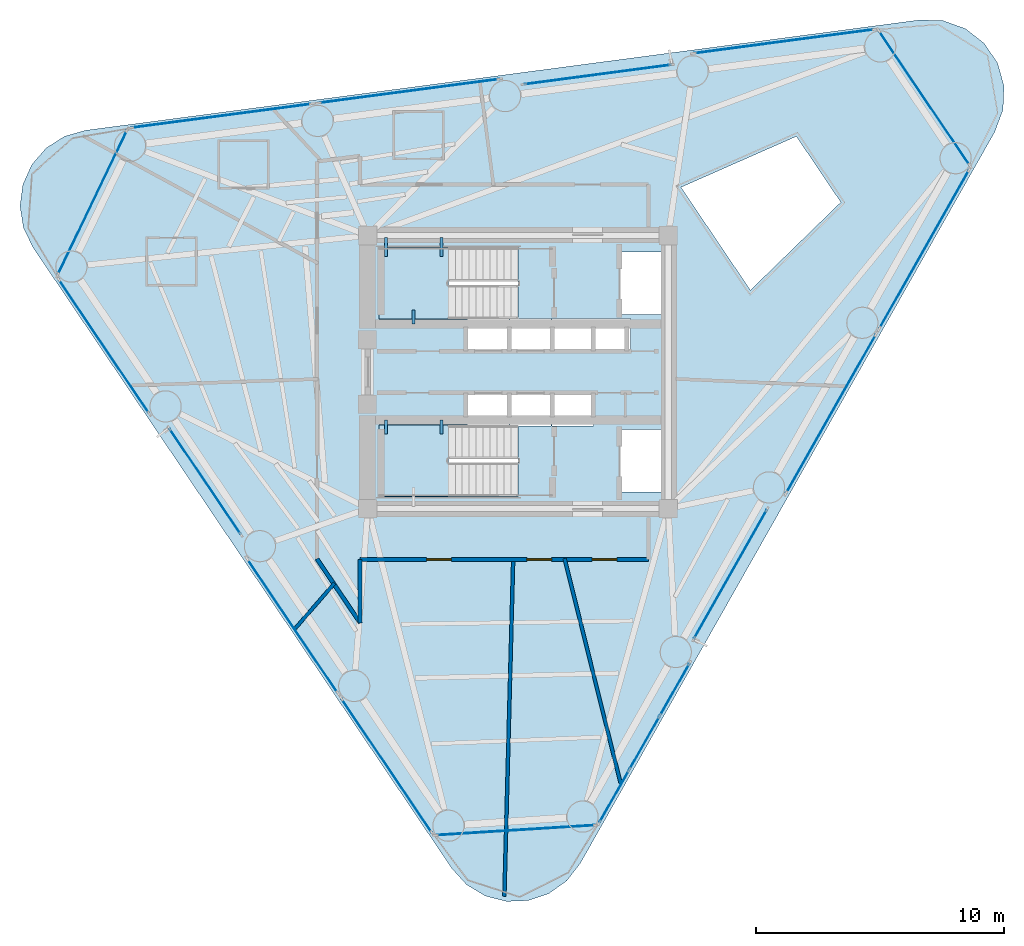
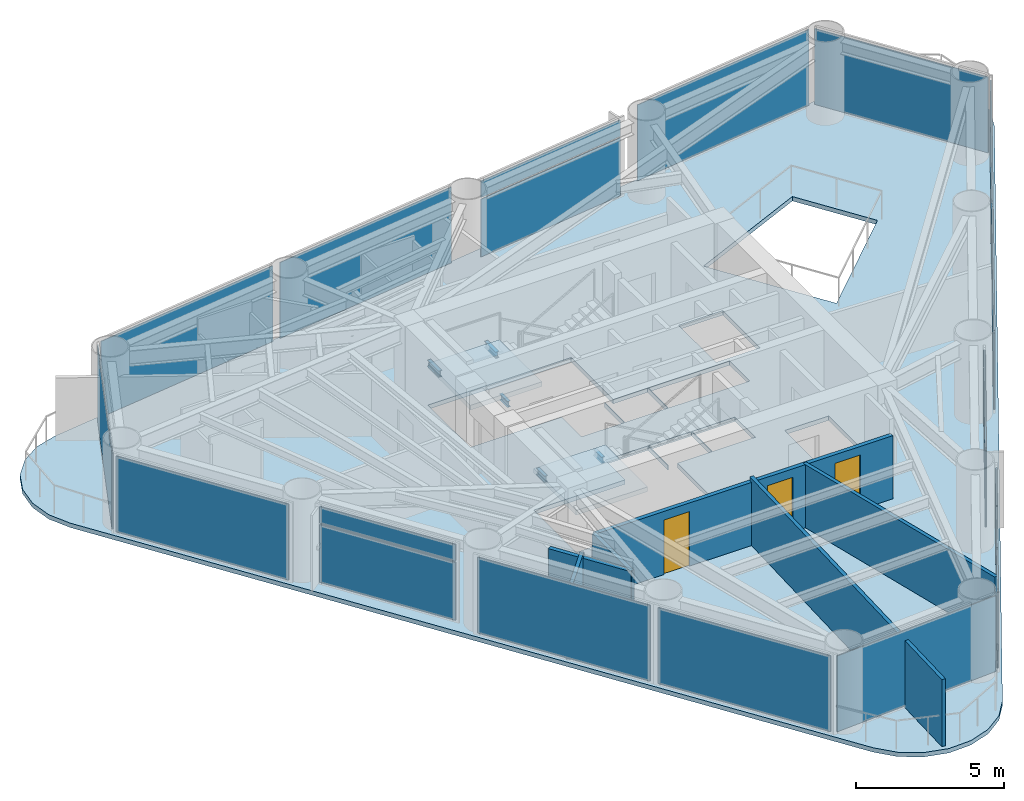
# One storey, part 4 of 9: 23 plates, 6 walls, 5 beams, 3 doors, 3 slabs, 3 openings, 17 elements without a shape of their own.
"""IFC4 building model written with IfcOpenShell, lengths in metres."""

import ifcopenshell
import ifcopenshell.guid

model = None  # the IFC model being written
_history = None  # IfcOwnerHistory: only IFC2X3 demands one
_inside = {}  # id of a spatial element -> (the spatial element, [elements in it])
_under = {}  # id of a project, library or spatial element -> (it, [spatial elements below it])
_declared = {}  # id of a project -> (the project, [libraries it declares])
_typed = {}  # id of a type object -> (the type object, [elements of that type])
_made_of = {}  # id of a material, layer set ... -> (it, [elements and type objects made of it])


def new_model(schema):
    """Start an empty IFC model of exactly this schema.

    Asked for "IFC4X3", IfcOpenShell would pick the latest addendum, in which some entities
    have other attributes; the version numbers below select the first issue.
    IFC2X3 requires an IfcOwnerHistory on every rooted entity: one is made here for all.
    """
    global model, _history
    if schema == "IFC4X3":
        model = ifcopenshell.file(schema_version=(4, 3, 0, 0))
    else:
        model = ifcopenshell.file(schema=schema)
    _inside.clear()
    _under.clear()
    _declared.clear()
    _typed.clear()
    _made_of.clear()
    _history = None
    if model.schema == "IFC2X3":
        org = make("IfcOrganization", Name="unknown")
        user = make(
            "IfcPersonAndOrganization",
            ThePerson=make("IfcPerson", FamilyName="unknown"),
            TheOrganization=org,
        )
        app = make(
            "IfcApplication",
            ApplicationDeveloper=org,
            Version="unknown",
            ApplicationFullName="unknown",
            ApplicationIdentifier="unknown",
        )
        _history = make(
            "IfcOwnerHistory",
            OwningUser=user,
            OwningApplication=app,
            ChangeAction="ADDED",
            CreationDate=0,
        )
    return model


def make(cls, **values):
    """One entity of the class cls with the attributes given. An attribute that is None is left unset."""
    return model.create_entity(
        cls, **{name: value for name, value in values.items() if value is not None}
    )


def rooted(cls, **values):
    """An entity with a GlobalId (a new one), such as an element, a storey or a relation."""
    return make(cls, GlobalId=ifcopenshell.guid.new(), OwnerHistory=_history, **values)


def si_unit(unit_type, name, prefix=None):
    """IfcSIUnit, for example si_unit("LENGTHUNIT", "METRE", prefix="MILLI")."""
    return make("IfcSIUnit", UnitType=unit_type, Prefix=prefix, Name=name)


def assignment(units):
    """IfcUnitAssignment: the units of a project."""
    return None if units is None else make("IfcUnitAssignment", Units=units)


def point(xyz):
    """IfcCartesianPoint."""
    return None if xyz is None else make("IfcCartesianPoint", Coordinates=xyz)


def direction(xyz):
    """IfcDirection."""
    return None if xyz is None else make("IfcDirection", DirectionRatios=xyz)


def frame(location, z_axis=None, x_axis=None):
    """IfcAxis2Placement3D, a coordinate frame: its origin and axes. An axis left out is left unset."""
    return make(
        "IfcAxis2Placement3D",
        Location=point(location),
        Axis=direction(z_axis),
        RefDirection=direction(x_axis),
    )


def frame_2d(location, x_axis=None):
    """IfcAxis2Placement2D, a coordinate frame in the plane: its origin and x axis."""
    return make(
        "IfcAxis2Placement2D", Location=point(location), RefDirection=direction(x_axis)
    )


def origin():
    """The frame at (0, 0, 0) with its axes left unset."""
    return frame((0.0, 0.0, 0.0))


def origin_2d():
    """The frame at (0, 0) in the plane with its x axis left unset."""
    return frame_2d((0.0, 0.0))


def place(relative_to, where):
    """IfcLocalPlacement: puts the frame where relative to a parent placement (None: the world)."""
    return make(
        "IfcLocalPlacement", PlacementRelTo=relative_to, RelativePlacement=where
    )


def context(
    kind, dimensions, precision=None, world=None, true_north=None, identifier=None
):
    """IfcGeometricRepresentationContext, for example the 3D "Model" context."""
    return make(
        "IfcGeometricRepresentationContext",
        ContextIdentifier=identifier,
        ContextType=kind,
        CoordinateSpaceDimension=dimensions,
        Precision=precision,
        WorldCoordinateSystem=world,
        TrueNorth=true_north,
    )


def subcontext(parent, identifier, kind, view, scale=None):
    """IfcGeometricRepresentationSubContext, for example "Body" below "Model"."""
    return make(
        "IfcGeometricRepresentationSubContext",
        ContextIdentifier=identifier,
        ContextType=kind,
        ParentContext=parent,
        TargetScale=scale,
        TargetView=view,
    )


def project(units=None, contexts=None):
    """IfcProject with its units and contexts."""
    return rooted(
        "IfcProject",
        Name="project",
        RepresentationContexts=contexts,
        UnitsInContext=assignment(units),
    )


def spatial(cls, under=None, at=None, **own):
    """A site, building, storey or space (cls), placed at a placement, below another one or the project."""
    s = rooted(cls, ObjectPlacement=at, **own)
    if under is not None:
        _under.setdefault(under.id(), (under, []))[1].append(s)
    return s


def polyline(points):
    """IfcPolyline through the points."""
    return make("IfcPolyline", Points=[point(p) for p in points])


def profile(cls, at=None, kind="AREA", **sizes):
    """A parametric profile (cls). Its sizes go by their IFC names, for example OverallWidth=200.0."""
    return make(cls, ProfileType=kind, Position=at, **sizes)


def rectangle(**sizes):
    """IfcRectangleProfileDef."""
    return profile("IfcRectangleProfileDef", **sizes)


def i_section(**sizes):
    """IfcIShapeProfileDef."""
    return profile("IfcIShapeProfileDef", **sizes)


def outline(outer, holes=None, kind="AREA"):
    """IfcArbitraryClosedProfileDef: a profile drawn as a closed curve; with holes, ...WithVoids."""
    if holes is None:
        return make("IfcArbitraryClosedProfileDef", ProfileType=kind, OuterCurve=outer)
    return make(
        "IfcArbitraryProfileDefWithVoids",
        ProfileType=kind,
        OuterCurve=outer,
        InnerCurves=holes,
    )


def extrude(swept, where, along, depth):
    """IfcExtrudedAreaSolid: the profile swept, set in the frame where, extruded along a direction by depth."""
    return make(
        "IfcExtrudedAreaSolid",
        SweptArea=swept,
        Position=where,
        ExtrudedDirection=direction(along),
        Depth=depth,
    )


def shape(context_of_items, identifier, shape_type, items):
    """IfcShapeRepresentation: the items that make up one representation, for example the "Body"."""
    return make(
        "IfcShapeRepresentation",
        ContextOfItems=context_of_items,
        RepresentationIdentifier=identifier,
        RepresentationType=shape_type,
        Items=items,
    )


def source(mapping_origin, context_of_items, identifier, shape_type, items):
    """IfcRepresentationMap: a shape defined once, which mapped items show again and again."""
    return make(
        "IfcRepresentationMap",
        MappingOrigin=mapping_origin,
        MappedRepresentation=shape(context_of_items, identifier, shape_type, items),
    )


def transform(
    local_origin,
    x_axis=None,
    y_axis=None,
    z_axis=None,
    scale=None,
    scale2=None,
    scale3=None,
    uniform=True,
):
    """IfcCartesianTransformationOperator3D, or its non-uniform kind. x_axis, y_axis, z_axis: its Axis1, 2, 3."""
    if uniform:
        return make(
            "IfcCartesianTransformationOperator3D",
            Axis1=direction(x_axis),
            Axis2=direction(y_axis),
            LocalOrigin=point(local_origin),
            Scale=scale,
            Axis3=direction(z_axis),
        )
    return make(
        "IfcCartesianTransformationOperator3DnonUniform",
        Axis1=direction(x_axis),
        Axis2=direction(y_axis),
        LocalOrigin=point(local_origin),
        Scale=scale,
        Axis3=direction(z_axis),
        Scale2=scale2,
        Scale3=scale3,
    )


def mapped(mapping_source, mapping_target):
    """IfcMappedItem: shows the shape of a source again, moved by a transform."""
    return make(
        "IfcMappedItem", MappingSource=mapping_source, MappingTarget=mapping_target
    )


def material(Name=None, Category=None):
    """IfcMaterial."""
    return make("IfcMaterial", Name=Name, Category=Category)


def layer(
    of_material, thickness, ventilated=None, Name=None, Category=None, Priority=None
):
    """IfcMaterialLayer: one layer of a wall or slab, of a material (None: an air gap)."""
    return make(
        "IfcMaterialLayer",
        Material=of_material,
        LayerThickness=thickness,
        IsVentilated=ventilated,
        Name=Name,
        Category=Category,
        Priority=Priority,
    )


def layer_set(layers, Name=None):
    """IfcMaterialLayerSet."""
    return make("IfcMaterialLayerSet", MaterialLayers=layers, LayerSetName=Name)


def material_profile(
    of_material, cross_section, Name=None, Category=None, Priority=None
):
    """IfcMaterialProfile: a cross section and its material."""
    return make(
        "IfcMaterialProfile",
        Name=Name,
        Material=of_material,
        Profile=cross_section,
        Priority=Priority,
        Category=Category,
    )


def profile_set(profiles, Name=None, composite=None):
    """IfcMaterialProfileSet."""
    return make(
        "IfcMaterialProfileSet",
        Name=Name,
        MaterialProfiles=profiles,
        CompositeProfile=composite,
    )


def made_of(thing, what):
    """Note that an element or type object is made of a material, layer set ...; save() writes the relation."""
    if what is not None:
        _made_of.setdefault(what.id(), (what, []))[1].append(thing)
    return thing


def type_object(cls, material=None, **own):
    """A type object (cls), such as IfcWallType, which elements share."""
    return made_of(rooted(cls, **own), material)


def element(
    cls,
    number,
    at=None,
    inside=None,
    cuts=None,
    type_object=None,
    material=None,
    context=None,
    identifier="Body",
    shape_type=None,
    held_by="IfcProductDefinitionShape",
    body=None,
    shapes=None,
    **own,
):
    """One element of the class cls, such as IfcWall. Its Tag is "e" and its number.

    at: its placement. inside: the storey or other place that contains it. cuts: it is an
    opening in that element (IfcRelVoidsElement). A single representation is given by context,
    identifier, shape_type and body (its items); several are given by shapes. held_by: the class
    of the entity that holds the representations. save() writes the other relations.
    """
    e = rooted(cls, Tag="e%d" % number, ObjectPlacement=at, **own)
    if body is not None:
        shapes = [shape(context, identifier, shape_type, body)]
    if shapes is not None:
        e.Representation = make(held_by, Representations=shapes)
    if inside is not None:
        _inside.setdefault(inside.id(), (inside, []))[1].append(e)
    if cuts is not None:
        rooted(
            "IfcRelVoidsElement", RelatingBuildingElement=cuts, RelatedOpeningElement=e
        )
    if type_object is not None:
        _typed.setdefault(type_object.id(), (type_object, []))[1].append(e)
    return made_of(e, material)


def fill(opening, filler):
    """IfcRelFillsElement: the door or window that sits in an opening."""
    return rooted(
        "IfcRelFillsElement",
        RelatingOpeningElement=opening,
        RelatedBuildingElement=filler,
    )


def aggregate(whole, parts):
    """IfcRelAggregates: a whole, such as a stair, and the parts it consists of."""
    return rooted("IfcRelAggregates", RelatingObject=whole, RelatedObjects=parts)


def save(model, path):
    """Write the relations noted so far, then the file.

    IfcRelAggregates (storeys below a building ...), IfcRelContainedInSpatialStructure (elements
    in a storey), IfcRelDefinesByType, IfcRelAssociatesMaterial and IfcRelDeclares: one each for
    every whole, place, type object, material and project.
    """
    for whole, parts in _under.values():
        aggregate(whole, parts)
    for where, things in _inside.values():
        rooted(
            "IfcRelContainedInSpatialStructure",
            RelatedElements=things,
            RelatingStructure=where,
        )
    for kind, things in _typed.values():
        rooted("IfcRelDefinesByType", RelatedObjects=things, RelatingType=kind)
    for what, things in _made_of.values():
        rooted("IfcRelAssociatesMaterial", RelatedObjects=things, RelatingMaterial=what)
    for by, libraries in _declared.values():
        rooted("IfcRelDeclares", RelatingContext=by, RelatedDefinitions=libraries)
    model.write(path)


model = new_model("IFC4")

# Units and contexts
model_context = context("Model", 3, precision=1e-05, world=origin(), true_north=direction((0.0, 1.0)))
body_context = subcontext(model_context, "Body", "Model", "MODEL_VIEW")
ifc_project = project(units=[si_unit("LENGTHUNIT", "METRE"), si_unit("AREAUNIT", "SQUARE_METRE"), si_unit("VOLUMEUNIT", "CUBIC_METRE"), si_unit("PLANEANGLEUNIT", "RADIAN"), si_unit("MASSUNIT", "GRAM", prefix="KILO")], contexts=[model_context])

# Site, building, storey
site_placement = place(None, origin())
site = spatial("IfcSite", under=ifc_project, at=site_placement, CompositionType="ELEMENT")
building_placement = place(site_placement, origin())
building = spatial("IfcBuilding", under=site, at=building_placement, Name="Yunling Apex Tower", CompositionType="ELEMENT")
storey_placement = place(building_placement, frame((0.0, 0.0, 172.550048828125)))
storey = spatial("IfcBuildingStorey", under=building, at=storey_placement, Name="L42", CompositionType="ELEMENT", Elevation=172.550048828125)

# Beams
ifc_material_1 = material(Name="Steel Q355B", Category="steel")
ifc_material_profile = material_profile(ifc_material_1, i_section(OverallWidth=0.125, OverallDepth=0.25, WebThickness=0.006103515625, FlangeThickness=0.009033203125, FilletRadius=0.011962890625, at=origin_2d()))
ifc_profile_set = profile_set([ifc_material_profile], Name="Steel Q355B")
beam_type = type_object("IfcBeamType", Name="BL-LNT-1", PredefinedType="LINTEL", material=ifc_profile_set)
shared_shape_1 = source(origin(), body_context, "Body", "SweptSolid", [
    extrude(i_section(OverallWidth=0.125, OverallDepth=0.25, WebThickness=0.006103515625, FlangeThickness=0.009033203125, FilletRadius=0.011962890625, at=origin_2d()), origin(), (0.0, 0.0, 1.0), 0.760009765625),
])
for number, where, z_axis, x_axis, name in (
    (1, (-5.320068359375, 5.419921875, 1.405029296875), (0.0, -1.0, 0.0), (1.0, 0.0, 0.0), "L42 ST-1 Landing Bearing Corbel 1-1"),
    (2, (-3.090087890625, 5.419921875, 1.405029296875), (0.0, -1.0, 0.0), (1.0, 0.0, 0.0), "L42 ST-1 Landing Bearing Corbel 1-2"),
):
    element("IfcBeam", number, at=place(storey_placement, frame(where, z_axis=z_axis, x_axis=x_axis)), inside=storey, type_object=beam_type, Name=name, PredefinedType="LINTEL", context=body_context, shape_type="MappedRepresentation", body=[
        mapped(shared_shape_1, transform((0.0, 0.0, 0.0), scale=1.0)),
    ])
shared_shape_2 = source(origin(), body_context, "Body", "SweptSolid", [
    extrude(i_section(OverallWidth=0.125, OverallDepth=0.25, WebThickness=0.006103515625, FlangeThickness=0.009033203125, FilletRadius=0.011962890625, at=origin_2d()), origin(), (0.0, 0.0, 1.0), 0.550048828125),
])
for number, where, z_axis, x_axis, name in (
    (3, (-4.205078125, 1.93994140625, 1.405029296875), (0.0, 1.0, 0.0), (-1.0, 0.0, 0.0), "L42 ST-1 Landing Bearing Corbel 1-3"),
    (4, (-5.320068359375, -1.93994140625, 1.405029296875), (0.0, -1.0, 0.0), (1.0, 0.0, 0.0), "L42 ST-2 Landing Bearing Corbel 1-1"),
    (5, (-3.090087890625, -1.93994140625, 1.405029296875), (0.0, -1.0, 0.0), (1.0, 0.0, 0.0), "L42 ST-2 Landing Bearing Corbel 1-2"),
):
    element("IfcBeam", number, at=place(storey_placement, frame(where, z_axis=z_axis, x_axis=x_axis)), inside=storey, type_object=beam_type, Name=name, PredefinedType="LINTEL", context=body_context, shape_type="MappedRepresentation", body=[
        mapped(shared_shape_2, transform((0.0, 0.0, 0.0), scale=1.0)),
    ])

# Slab
ifc_material_2 = material(Name="Concrete C40", Category="concrete")
ifc_layer_1 = layer(ifc_material_2, 0.1650390625)
ifc_layer_set_1 = layer_set([ifc_layer_1], Name="Concrete C40")
slab_type_1 = type_object("IfcSlabType", Name="SL-FLR-2", PredefinedType="FLOOR", material=ifc_layer_set_1)
slab_1_placement = place(storey_placement, frame((0.0, 0.0, -0.179931640625)))
element("IfcSlab", 6, at=slab_1_placement, inside=storey, type_object=slab_type_1, Name="L42 Composite Tower Floor Slab", PredefinedType="FLOOR", context=body_context, shape_type="SweptSolid", body=[
    extrude(outline(polyline([(-2.665771484375, -20.00146484375), (-2.073486328125, -20.65185546875), (-1.31982421875, -21.10546875), (-0.468017578125, -21.32421875), (0.410888671875, -21.2900390625), (1.243408203125, -21.005615234375), (1.95947265625, -20.494873046875), (2.499267578125, -19.80029296875), (19.197998046875, 9.66650390625), (19.533203125, 10.565185546875), (19.572021484375, 11.5234375), (19.31005859375, 12.4462890625), (18.773681640625, 13.241455078125), (18.01611328125, 13.830078125), (17.113037109375, 14.1533203125), (16.154296875, 14.178955078125), (-17.422119140625, 9.734619140625), (-18.268310546875, 9.494384765625), (-19.01025390625, 9.021728515625), (-19.585693359375, 8.3564453125), (-19.947021484375, 7.554443359375), (-20.06298828125, 6.682373046875), (-19.9248046875, 5.813720703125), (-19.543701171875, 5.02099609375), (-2.665771484375, -20.00146484375)]), holes=[polyline([(11.209228515625, 9.49072265625), (12.998779296875, 6.837890625), (9.356689453125, 3.295654296875), (6.560791015625, 7.44091796875), (11.209228515625, 9.49072265625)]), polyline([(4.090087890625, -2.320068359375), (5.81005859375, -2.320068359375), (5.81005859375, -4.840087890625), (4.090087890625, -4.840087890625), (4.090087890625, -2.320068359375)]), polyline([(5.81005859375, 4.840087890625), (5.81005859375, 2.320068359375), (4.090087890625, 2.320068359375), (4.090087890625, 4.840087890625), (5.81005859375, 4.840087890625)]), polyline([(1.364990234375, 2.1650390625), (4.534912109375, 2.1650390625), (4.534912109375, 0.794921875), (1.364990234375, 0.794921875), (1.364990234375, 2.1650390625)]), polyline([(3.034912109375, -0.794921875), (3.034912109375, -2.1650390625), (1.364990234375, -2.1650390625), (1.364990234375, -0.794921875), (3.034912109375, -0.794921875)]), polyline([(-2.034912109375, -0.794921875), (-0.364990234375, -0.794921875), (-0.364990234375, -2.139892578125), (-0.3349609375, -2.139892578125), (-0.3349609375, -0.794921875), (1.3349609375, -0.794921875), (1.3349609375, -2.1650390625), (-0.010009765625, -2.1650390625), (-0.010009765625, -5.010009765625), (-5.60009765625, -5.010009765625), (-5.60009765625, -2.139892578125), (-2.034912109375, -2.139892578125), (-2.034912109375, -0.794921875)]), polyline([(-5.60009765625, 2.139892578125), (-5.60009765625, 5.010009765625), (-0.010009765625, 5.010009765625), (-0.010009765625, 2.1650390625), (1.3349609375, 2.1650390625), (1.3349609375, 0.794921875), (-0.3349609375, 0.794921875), (-0.3349609375, 2.139892578125), (-0.364990234375, 2.139892578125), (-0.364990234375, 0.794921875), (-2.034912109375, 0.794921875), (-2.034912109375, 2.139892578125), (-5.60009765625, 2.139892578125)])]), origin(), (0.0, 0.0, 1.0), 0.179931640625),
])

# Stair, slab
stair_type = type_object("IfcStairType", Name="ST-TWR-2", PredefinedType="HALF_TURN_STAIR", material=ifc_material_2)
stair_1_placement = place(storey_placement, origin())
stair_1 = element("IfcStair", 7, at=stair_1_placement, inside=storey, type_object=stair_type, Name="L42 North Core Smokeproof Exit Stair ST-1", PredefinedType="HALF_TURN_STAIR")
ifc_layer_2 = layer(ifc_material_2, 0.195068359375)
ifc_layer_set_2 = layer_set([ifc_layer_2], Name="Concrete C40")
slab_type_2 = type_object("IfcSlabType", Name="SL-LND-1", PredefinedType="LANDING", material=ifc_layer_set_2)
slab_2_placement = place(storey_placement, frame((0.0, 0.0, 1.530029296875)))
slab_2 = element("IfcSlab", 8, at=slab_2_placement, type_object=slab_type_2, Name="ST-1 landing 1", PredefinedType="LANDING", context=body_context, shape_type="SweptSolid", body=[
    extrude(outline(polyline([(-2.81005859375, 5.010009765625), (-5.60009765625, 5.010009765625), (-5.60009765625, 2.139892578125), (-2.81005859375, 2.139892578125), (-2.81005859375, 5.010009765625)])), origin(), (0.0, 0.0, 1.0), 0.19482421875),
])
aggregate(stair_1, [slab_2])

stair_2_placement = place(storey_placement, origin())
stair_2 = element("IfcStair", 9, at=stair_2_placement, inside=storey, type_object=stair_type, Name="L42 South Core Smokeproof Exit Stair ST-2", PredefinedType="HALF_TURN_STAIR")
slab_3_placement = place(storey_placement, frame((0.0, 0.0, 1.530029296875)))
slab_3 = element("IfcSlab", 10, at=slab_3_placement, type_object=slab_type_2, Name="ST-2 landing 1", PredefinedType="LANDING", context=body_context, shape_type="SweptSolid", body=[
    extrude(outline(polyline([(-2.81005859375, -2.139892578125), (-5.60009765625, -2.139892578125), (-5.60009765625, -5.010009765625), (-2.81005859375, -5.010009765625), (-2.81005859375, -2.139892578125)])), origin(), (0.0, 0.0, 1.0), 0.19482421875),
])
aggregate(stair_2, [slab_3])

# Curtain wall, plates
ifc_material_3 = material(Name="Bronze anodised aluminium", Category="aluminium")
ifc_layer_3 = layer(ifc_material_3, 0.239990234375)
ifc_layer_set_3 = layer_set([ifc_layer_3], Name="Bronze anodised aluminium")
curtain_wall_type = type_object("IfcCurtainWallType", Name="CW-SYS-3", PredefinedType="NOTDEFINED", material=ifc_layer_set_3)
curtain_wall_1_placement = place(storey_placement, origin())
curtain_wall_1 = element("IfcCurtainWall", 11, at=curtain_wall_1_placement, inside=storey, type_object=curtain_wall_type, Name="CW-L42-F1-B1", PredefinedType="NOTDEFINED")
ifc_material_4 = material(Name="Bronze tinted low-E glass", Category="glass")
ifc_layer_4 = layer(ifc_material_4, 0.031982421875)
ifc_layer_set_4 = layer_set([ifc_layer_4], Name="Bronze tinted low-E glass")
plate_type = type_object("IfcPlateType", Name="CW-PNL-3", PredefinedType="CURTAIN_PANEL", material=ifc_layer_set_4)
shared_shape_3 = source(origin(), body_context, "Body", "SweptSolid", [
    extrude(rectangle(XDim=2.3828125, YDim=0.031982421875, at=origin_2d()), origin(), (0.0, 0.0, 1.0), 2.381103515625),
])
plate_1_placement = place(storey_placement, frame((3.874755859375, -17.089111328125, 0.07177734375), z_axis=(0.0, 0.0, 1.0), x_axis=(0.493040979859, 0.870006087438, 0.0)))
plate_1 = element("IfcPlate", 12, at=plate_1_placement, type_object=plate_type, Name="CW-SYS-3 panel 1.1", PredefinedType="CURTAIN_PANEL", context=body_context, shape_type="MappedRepresentation", body=[
    mapped(shared_shape_3, transform((0.0, 0.0, 0.0), scale=1.0)),
])
plate_2_placement = place(storey_placement, frame((6.307373046875, -12.796875, 0.07177734375), z_axis=(0.0, 0.0, 1.0), x_axis=(0.493040979859, 0.870006087438, 0.0)))
plate_2 = element("IfcPlate", 13, at=plate_2_placement, type_object=plate_type, Name="CW-SYS-3 panel 3.1", PredefinedType="CURTAIN_PANEL", context=body_context, shape_type="MappedRepresentation", body=[
    mapped(shared_shape_3, transform((0.0, 0.0, 0.0), scale=1.0)),
])
shared_shape_4 = source(origin(), body_context, "Body", "SweptSolid", [
    extrude(rectangle(XDim=2.3828125, YDim=0.031982421875, at=origin_2d()), origin(), (0.0, 0.0, 1.0), 0.680908203125),
])
plate_3_placement = place(storey_placement, frame((3.874755859375, -17.089111328125, 2.51708984375), z_axis=(0.0, 0.0, 1.0), x_axis=(0.493040979859, 0.870006087438, 0.0)))
plate_3 = element("IfcPlate", 14, at=plate_3_placement, type_object=plate_type, Name="CW-SYS-3 panel 1.2", PredefinedType="CURTAIN_PANEL", context=body_context, shape_type="MappedRepresentation", body=[
    mapped(shared_shape_4, transform((0.0, 0.0, 0.0), scale=1.0)),
])
plate_4_placement = place(storey_placement, frame((6.307373046875, -12.796875, 2.51708984375), z_axis=(0.0, 0.0, 1.0), x_axis=(0.493040979859, 0.870006087438, 0.0)))
plate_4 = element("IfcPlate", 15, at=plate_4_placement, type_object=plate_type, Name="CW-SYS-3 panel 3.2", PredefinedType="CURTAIN_PANEL", context=body_context, shape_type="MappedRepresentation", body=[
    mapped(shared_shape_4, transform((0.0, 0.0, 0.0), scale=1.0)),
])
shared_shape_5 = source(origin(), body_context, "Body", "SweptSolid", [
    extrude(rectangle(XDim=2.4228515625, YDim=0.031982421875, at=origin_2d()), origin(), (0.0, 0.0, 1.0), 2.381103515625),
])
plate_5_placement = place(storey_placement, frame((5.091064453125, -14.943115234375, 0.07177734375), z_axis=(0.0, 0.0, 1.0), x_axis=(0.493040979859, 0.870006087438, 0.0)))
plate_5 = element("IfcPlate", 16, at=plate_5_placement, type_object=plate_type, Name="CW-SYS-3 panel 2.1", PredefinedType="CURTAIN_PANEL", context=body_context, shape_type="MappedRepresentation", body=[
    mapped(shared_shape_5, transform((0.0, 0.0, 0.0), scale=1.0)),
])
shared_shape_6 = source(origin(), body_context, "Body", "SweptSolid", [
    extrude(rectangle(XDim=2.4228515625, YDim=0.031982421875, at=origin_2d()), origin(), (0.0, 0.0, 1.0), 0.680908203125),
])
plate_6_placement = place(storey_placement, frame((5.091064453125, -14.943115234375, 2.51708984375), z_axis=(0.0, 0.0, 1.0), x_axis=(0.493040979859, 0.870006087438, 0.0)))
plate_6 = element("IfcPlate", 17, at=plate_6_placement, type_object=plate_type, Name="CW-SYS-3 panel 2.2", PredefinedType="CURTAIN_PANEL", context=body_context, shape_type="MappedRepresentation", body=[
    mapped(shared_shape_6, transform((0.0, 0.0, 0.0), scale=1.0)),
])
aggregate(curtain_wall_1, [plate_1, plate_3, plate_5, plate_6, plate_2, plate_4])

# Curtain wall, plate
curtain_wall_2_placement = place(storey_placement, origin())
curtain_wall_2 = element("IfcCurtainWall", 18, at=curtain_wall_2_placement, inside=storey, type_object=curtain_wall_type, Name="CW-L42-F1-B2", PredefinedType="NOTDEFINED")
shared_shape_7 = source(origin(), body_context, "Body", "SweptSolid", [
    extrude(rectangle(XDim=5.9365234375, YDim=0.031982421875, at=origin_2d()), origin(), (0.0, 0.0, 1.0), 2.381103515625),
])
plate_7_placement = place(storey_placement, frame((8.552490234375, -8.145263671875, 0.07177734375), z_axis=(0.0, 0.0, 1.0), x_axis=(0.493047012471, 0.87000266867, 0.0)))
plate_7 = element("IfcPlate", 19, at=plate_7_placement, type_object=plate_type, Name="CW-SYS-3 panel 1.1", PredefinedType="CURTAIN_PANEL", context=body_context, shape_type="MappedRepresentation", body=[
    mapped(shared_shape_7, transform((0.0, 0.0, 0.0), scale=1.0)),
])

curtain_wall_3_placement = place(storey_placement, origin())
curtain_wall_3 = element("IfcCurtainWall", 20, at=curtain_wall_3_placement, inside=storey, type_object=curtain_wall_type, Name="CW-L42-F2-B2", PredefinedType="NOTDEFINED")
plate_8_placement = place(storey_placement, frame((3.206298828125, 11.98095703125, 0.07177734375), z_axis=(0.0, 0.0, 1.0), x_axis=(-0.99135526932, -0.131204916036, 0.0)))
plate_8 = element("IfcPlate", 21, at=plate_8_placement, type_object=plate_type, Name="CW-SYS-3 panel 1.1", PredefinedType="CURTAIN_PANEL", context=body_context, shape_type="MappedRepresentation", body=[
    mapped(shared_shape_7, transform((0.0, 0.0, 0.0), scale=1.0)),
])

# Plate
shared_shape_8 = source(origin(), body_context, "Body", "SweptSolid", [
    extrude(rectangle(XDim=5.9365234375, YDim=0.031982421875, at=origin_2d()), origin(), (0.0, 0.0, 1.0), 0.680908203125),
])
plate_9_placement = place(storey_placement, frame((8.552490234375, -8.145263671875, 2.51708984375), z_axis=(0.0, 0.0, 1.0), x_axis=(0.493047012471, 0.87000266867, 0.0)))
plate_9 = element("IfcPlate", 22, at=plate_9_placement, type_object=plate_type, Name="CW-SYS-3 panel 1.2", PredefinedType="CURTAIN_PANEL", context=body_context, shape_type="MappedRepresentation", body=[
    mapped(shared_shape_8, transform((0.0, 0.0, 0.0), scale=1.0)),
])

aggregate(curtain_wall_2, [plate_7, plate_9])

plate_10_placement = place(storey_placement, frame((3.206298828125, 11.98095703125, 2.51708984375), z_axis=(0.0, 0.0, 1.0), x_axis=(-0.99135526932, -0.131204916036, 0.0)))
plate_10 = element("IfcPlate", 23, at=plate_10_placement, type_object=plate_type, Name="CW-SYS-3 panel 1.2", PredefinedType="CURTAIN_PANEL", context=body_context, shape_type="MappedRepresentation", body=[
    mapped(shared_shape_8, transform((0.0, 0.0, 0.0), scale=1.0)),
])

aggregate(curtain_wall_3, [plate_8, plate_10])

# Curtain wall, plate
curtain_wall_4_placement = place(storey_placement, origin())
curtain_wall_4 = element("IfcCurtainWall", 24, at=curtain_wall_4_placement, inside=storey, type_object=curtain_wall_type, Name="CW-L42-F1-B3", PredefinedType="NOTDEFINED")
shared_shape_9 = source(origin(), body_context, "Body", "SweptSolid", [
    extrude(rectangle(XDim=7.316650390625, YDim=0.031982421875, at=origin_2d()), origin(), (0.0, 0.0, 1.0), 3.1259765625),
])
plate_11_placement = place(storey_placement, frame((12.60546875, -1.682861328125, 0.072021484375), z_axis=(0.0, 0.0, 1.0), x_axis=(0.493035230416, 0.870009345679, 0.0)))
plate_11 = element("IfcPlate", 25, at=plate_11_placement, type_object=plate_type, Name="CW-SYS-3 panel 1.1", PredefinedType="CURTAIN_PANEL", context=body_context, shape_type="MappedRepresentation", body=[
    mapped(shared_shape_9, transform((0.0, 0.0, 0.0), scale=1.0)),
])
aggregate(curtain_wall_4, [plate_11])

curtain_wall_5_placement = place(storey_placement, origin())
curtain_wall_5 = element("IfcCurtainWall", 26, at=curtain_wall_5_placement, inside=storey, type_object=curtain_wall_type, Name="CW-L42-F1-B4", PredefinedType="NOTDEFINED")
plate_12_placement = place(storey_placement, frame((16.362548828125, 4.947021484375, 0.072021484375), z_axis=(0.0, 0.0, 1.0), x_axis=(0.493040979859, 0.870006087438, 0.0)))
plate_12 = element("IfcPlate", 27, at=plate_12_placement, type_object=plate_type, Name="CW-SYS-3 panel 1.1", PredefinedType="CURTAIN_PANEL", context=body_context, shape_type="MappedRepresentation", body=[
    mapped(shared_shape_9, transform((0.0, 0.0, 0.0), scale=1.0)),
])
aggregate(curtain_wall_5, [plate_12])

curtain_wall_6_placement = place(storey_placement, origin())
curtain_wall_6 = element("IfcCurtainWall", 28, at=curtain_wall_6_placement, inside=storey, type_object=curtain_wall_type, Name="CW-L42-F2-B1", PredefinedType="NOTDEFINED")
plate_13_placement = place(storey_placement, frame((10.716552734375, 13.31787109375, 0.072021484375), z_axis=(0.0, 0.0, 1.0), x_axis=(-0.991352945496, -0.131222473138, 0.0)))
plate_13 = element("IfcPlate", 29, at=plate_13_placement, type_object=plate_type, Name="CW-SYS-3 panel 1.1", PredefinedType="CURTAIN_PANEL", context=body_context, shape_type="MappedRepresentation", body=[
    mapped(shared_shape_9, transform((0.0, 0.0, 0.0), scale=1.0)),
])
aggregate(curtain_wall_6, [plate_13])

curtain_wall_7_placement = place(storey_placement, origin())
curtain_wall_7 = element("IfcCurtainWall", 30, at=curtain_wall_7_placement, inside=storey, type_object=curtain_wall_type, Name="CW-L42-F2-B3", PredefinedType="NOTDEFINED")
plate_14_placement = place(storey_placement, frame((-4.39306640625, 11.318115234375, 0.072021484375), z_axis=(0.0, 0.0, 1.0), x_axis=(-0.991354689071, -0.13120930019, 0.0)))
plate_14 = element("IfcPlate", 31, at=plate_14_placement, type_object=plate_type, Name="CW-SYS-3 panel 1.1", PredefinedType="CURTAIN_PANEL", context=body_context, shape_type="MappedRepresentation", body=[
    mapped(shared_shape_9, transform((0.0, 0.0, 0.0), scale=1.0)),
])
aggregate(curtain_wall_7, [plate_14])

curtain_wall_8_placement = place(storey_placement, origin())
curtain_wall_8 = element("IfcCurtainWall", 32, at=curtain_wall_8_placement, inside=storey, type_object=curtain_wall_type, Name="CW-L42-F2-B4", PredefinedType="NOTDEFINED")
plate_15_placement = place(storey_placement, frame((-11.94775390625, 10.318115234375, 0.072021484375), z_axis=(0.0, 0.0, 1.0), x_axis=(-0.991352945496, -0.131222473138, 0.0)))
plate_15 = element("IfcPlate", 33, at=plate_15_placement, type_object=plate_type, Name="CW-SYS-3 panel 1.1", PredefinedType="CURTAIN_PANEL", context=body_context, shape_type="MappedRepresentation", body=[
    mapped(shared_shape_9, transform((0.0, 0.0, 0.0), scale=1.0)),
])
aggregate(curtain_wall_8, [plate_15])

curtain_wall_9_placement = place(storey_placement, origin())
curtain_wall_9 = element("IfcCurtainWall", 34, at=curtain_wall_9_placement, inside=storey, type_object=curtain_wall_type, Name="CW-L42-CRN1", PredefinedType="NOTDEFINED")
shared_shape_10 = source(origin(), body_context, "Body", "SweptSolid", [
    extrude(rectangle(XDim=6.521728515625, YDim=0.031982421875, at=origin_2d()), origin(), (0.0, 0.0, 1.0), 3.1259765625),
])
plate_16_placement = place(storey_placement, frame((16.360107421875, 11.03515625, 0.072021484375), z_axis=(0.0, 0.0, 1.0), x_axis=(-0.559192747259, 0.829037677921, 0.0)))
plate_16 = element("IfcPlate", 35, at=plate_16_placement, type_object=plate_type, Name="CW-SYS-3 panel 1.1", PredefinedType="CURTAIN_PANEL", context=body_context, shape_type="MappedRepresentation", body=[
    mapped(shared_shape_10, transform((0.0, 0.0, 0.0), scale=1.0)),
])
aggregate(curtain_wall_9, [plate_16])

curtain_wall_10_placement = place(storey_placement, origin())
curtain_wall_10 = element("IfcCurtainWall", 36, at=curtain_wall_10_placement, inside=storey, type_object=curtain_wall_type, Name="CW-L42-CRN2", PredefinedType="NOTDEFINED")
shared_shape_11 = source(origin(), body_context, "Body", "SweptSolid", [
    extrude(rectangle(XDim=6.441162109375, YDim=0.031982421875, at=origin_2d()), origin(), (0.0, 0.0, 1.0), 3.1259765625),
])
plate_17_placement = place(storey_placement, frame((-17.144775390625, 6.828857421875, 0.072021484375), z_axis=(0.0, 0.0, 1.0), x_axis=(-0.431993843071, -0.901876554496, 0.0)))
plate_17 = element("IfcPlate", 37, at=plate_17_placement, type_object=plate_type, Name="CW-SYS-3 panel 1.1", PredefinedType="CURTAIN_PANEL", context=body_context, shape_type="MappedRepresentation", body=[
    mapped(shared_shape_11, transform((0.0, 0.0, 0.0), scale=1.0)),
])
aggregate(curtain_wall_10, [plate_17])

curtain_wall_11_placement = place(storey_placement, origin())
curtain_wall_11 = element("IfcCurtainWall", 38, at=curtain_wall_11_placement, inside=storey, type_object=curtain_wall_type, Name="CW-L42-CRN3", PredefinedType="NOTDEFINED")
plate_18_placement = place(storey_placement, frame((-0.091064453125, -18.454345703125, 0.072021484375), z_axis=(0.0, 0.0, 1.0), x_axis=(0.998034158431, 0.062672311308, 0.0)))
plate_18 = element("IfcPlate", 39, at=plate_18_placement, type_object=plate_type, Name="CW-SYS-3 panel 1.1", PredefinedType="CURTAIN_PANEL", context=body_context, shape_type="MappedRepresentation", body=[
    mapped(shared_shape_11, transform((0.0, 0.0, 0.0), scale=1.0)),
])
aggregate(curtain_wall_11, [plate_18])

curtain_wall_12_placement = place(storey_placement, origin())
curtain_wall_12 = element("IfcCurtainWall", 40, at=curtain_wall_12_placement, inside=storey, type_object=curtain_wall_type, Name="CW-L42-F3-B1", PredefinedType="NOTDEFINED")
shared_shape_12 = source(origin(), body_context, "Body", "SweptSolid", [
    extrude(rectangle(XDim=6.487060546875, YDim=0.031982421875, at=origin_2d()), origin(), (0.0, 0.0, 1.0), 3.1259765625),
])
plate_19_placement = place(storey_placement, frame((-16.684814453125, 1.033203125, 0.072021484375), z_axis=(0.0, 0.0, 1.0), x_axis=(0.559181442901, -0.829045302692, 0.0)))
plate_19 = element("IfcPlate", 41, at=plate_19_placement, type_object=plate_type, Name="CW-SYS-3 panel 1.1", PredefinedType="CURTAIN_PANEL", context=body_context, shape_type="MappedRepresentation", body=[
    mapped(shared_shape_12, transform((0.0, 0.0, 0.0), scale=1.0)),
])
aggregate(curtain_wall_12, [plate_19])

curtain_wall_13_placement = place(storey_placement, origin())
curtain_wall_13 = element("IfcCurtainWall", 42, at=curtain_wall_13_placement, inside=storey, type_object=curtain_wall_type, Name="CW-L42-F3-B3", PredefinedType="NOTDEFINED")
plate_20_placement = place(storey_placement, frame((-9.08984375, -10.226806640625, 0.072021484375), z_axis=(0.0, 0.0, 1.0), x_axis=(0.559188434042, -0.829040587205, 0.0)))
plate_20 = element("IfcPlate", 43, at=plate_20_placement, type_object=plate_type, Name="CW-SYS-3 panel 1.1", PredefinedType="CURTAIN_PANEL", context=body_context, shape_type="MappedRepresentation", body=[
    mapped(shared_shape_12, transform((0.0, 0.0, 0.0), scale=1.0)),
])
aggregate(curtain_wall_13, [plate_20])

curtain_wall_14_placement = place(storey_placement, origin())
curtain_wall_14 = element("IfcCurtainWall", 44, at=curtain_wall_14_placement, inside=storey, type_object=curtain_wall_type, Name="CW-L42-F3-B4", PredefinedType="NOTDEFINED")
plate_21_placement = place(storey_placement, frame((-5.29248046875, -15.85693359375, 0.072021484375), z_axis=(0.0, 0.0, 1.0), x_axis=(0.559181442901, -0.829045302692, 0.0)))
plate_21 = element("IfcPlate", 45, at=plate_21_placement, type_object=plate_type, Name="CW-SYS-3 panel 1.1", PredefinedType="CURTAIN_PANEL", context=body_context, shape_type="MappedRepresentation", body=[
    mapped(shared_shape_12, transform((0.0, 0.0, 0.0), scale=1.0)),
])
aggregate(curtain_wall_14, [plate_21])

# Curtain wall, plates
curtain_wall_15_placement = place(storey_placement, origin())
curtain_wall_15 = element("IfcCurtainWall", 46, at=curtain_wall_15_placement, inside=storey, type_object=curtain_wall_type, Name="CW-L42-F3-B2", PredefinedType="NOTDEFINED")
shared_shape_13 = source(origin(), body_context, "Body", "SweptSolid", [
    extrude(rectangle(XDim=5.10693359375, YDim=0.031982421875, at=origin_2d()), origin(), (0.0, 0.0, 1.0), 2.381103515625),
])
plate_22_placement = place(storey_placement, frame((-12.60546875, -4.40673828125, 0.07177734375), z_axis=(0.0, 0.0, 1.0), x_axis=(0.559209856873, -0.829026137089, 0.0)))
plate_22 = element("IfcPlate", 47, at=plate_22_placement, type_object=plate_type, Name="CW-SYS-3 panel 1.1", PredefinedType="CURTAIN_PANEL", context=body_context, shape_type="MappedRepresentation", body=[
    mapped(shared_shape_13, transform((0.0, 0.0, 0.0), scale=1.0)),
])
shared_shape_14 = source(origin(), body_context, "Body", "SweptSolid", [
    extrude(rectangle(XDim=5.10693359375, YDim=0.031982421875, at=origin_2d()), origin(), (0.0, 0.0, 1.0), 0.680908203125),
])
plate_23_placement = place(storey_placement, frame((-12.60546875, -4.40673828125, 2.51708984375), z_axis=(0.0, 0.0, 1.0), x_axis=(0.559209856873, -0.829026137089, 0.0)))
plate_23 = element("IfcPlate", 48, at=plate_23_placement, type_object=plate_type, Name="CW-SYS-3 panel 1.2", PredefinedType="CURTAIN_PANEL", context=body_context, shape_type="MappedRepresentation", body=[
    mapped(shared_shape_14, transform((0.0, 0.0, 0.0), scale=1.0)),
])
aggregate(curtain_wall_15, [plate_22, plate_23])

# Wall
ifc_material_5 = material(Name="Gypsum board acoustic partition")
ifc_layer_5 = layer(ifc_material_5, 0.159912109375)
ifc_layer_set_5 = layer_set([ifc_layer_5], Name="Gypsum board acoustic partition")
wall_type_1 = type_object("IfcWallType", Name="WL-PRT-1", PredefinedType="PARTITIONING", material=ifc_layer_set_5)
wall_1_placement = place(storey_placement, frame((-6.360107421875, -10.107421875, 0.0), z_axis=(0.0, 0.0, 1.0), x_axis=(-0.559200615657, 0.829032370567, 0.0)))
element("IfcWall", 49, at=wall_1_placement, inside=storey, type_object=wall_type_1, Name="WL-CORR-L42-01", PredefinedType="PARTITIONING", context=body_context, shape_type="SweptSolid", body=[
    extrude(rectangle(XDim=3.111572265625, YDim=0.159912109375, at=frame_2d((1.5556640625, 0.0))), origin(), (0.0, 0.0, 1.0), 2.60498046875),
])

# Wall, openings, doors
wall_2_placement = place(storey_placement, frame((5.25, -7.550048828125, 0.0), z_axis=(0.0, 0.0, 1.0), x_axis=(-1.0, 0.0, 0.0)))
wall_2 = element("IfcWall", 50, at=wall_2_placement, inside=storey, type_object=wall_type_1, Name="WL-CORR-L42-09", PredefinedType="PARTITIONING", context=body_context, shape_type="SweptSolid", body=[
    extrude(rectangle(XDim=11.610107421875, YDim=0.159912109375, at=frame_2d((5.80517578125, 0.0))), origin(), (0.0, 0.0, 1.0), 2.60498046875),
])
opening_1_placement = place(wall_2_placement, frame((1.2666015625, 0.0, 0.0)))
opening_1 = element("IfcOpeningElement", 51, at=opening_1_placement, cuts=wall_2, Name="Opening DR-OFF-1", PredefinedType="OPENING", context=body_context, shape_type="SweptSolid", body=[
    extrude(rectangle(XDim=1.0, YDim=2.25, at=frame_2d((0.5, 1.125))), frame((0.0, 0.08984375, 0.0), z_axis=(0.0, -1.0, 0.0), x_axis=(1.0, 0.0, 0.0)), (0.0, 0.0, 1.0), 0.179931640625),
])
opening_2_placement = place(wall_2_placement, frame((3.89990234375, 0.0, 0.0)))
opening_2 = element("IfcOpeningElement", 52, at=opening_2_placement, cuts=wall_2, Name="Opening DR-OFF-1", PredefinedType="OPENING", context=body_context, shape_type="SweptSolid", body=[
    extrude(rectangle(XDim=1.0, YDim=2.25, at=frame_2d((0.5, 1.125))), frame((0.0, 0.08984375, 0.0), z_axis=(0.0, -1.0, 0.0), x_axis=(1.0, 0.0, 0.0)), (0.0, 0.0, 1.0), 0.179931640625),
])
opening_3_placement = place(wall_2_placement, frame((7.935791015625, 0.0, 0.0)))
opening_3 = element("IfcOpeningElement", 53, at=opening_3_placement, cuts=wall_2, Name="Opening DR-OFF-1", PredefinedType="OPENING", context=body_context, shape_type="SweptSolid", body=[
    extrude(rectangle(XDim=1.0, YDim=2.25, at=frame_2d((0.5, 1.125))), frame((0.0, 0.08984375, 0.0), z_axis=(0.0, -1.0, 0.0), x_axis=(1.0, 0.0, 0.0)), (0.0, 0.0, 1.0), 0.179931640625),
])
door_type = type_object("IfcDoorType", Name="DR-OFF-1", OperationType="NOTDEFINED", PredefinedType="DOOR", material=ifc_material_3)
door_1_placement = place(opening_1_placement, origin())
door_1 = element("IfcDoor", 54, at=door_1_placement, inside=storey, type_object=door_type, Name="L42 VIP Reception Foyer Door", OperationType="SINGLE_SWING_RIGHT", OverallHeight=2.25, OverallWidth=1.0, PredefinedType="DOOR", context=body_context, shape_type="SweptSolid", body=[
    extrude(rectangle(XDim=1.0, YDim=2.25, at=frame_2d((0.5, 1.125))), frame((0.0, 0.02490234375, 0.0), z_axis=(0.0, -1.0, 0.0), x_axis=(1.0, 0.0, 0.0)), (0.0, 0.0, 1.0), 0.050048828125),
])
fill(opening_1, door_1)
door_2_placement = place(opening_2_placement, origin())
door_2 = element("IfcDoor", 55, at=door_2_placement, inside=storey, type_object=door_type, Name="L42 Staff Duty Office Door", OperationType="SINGLE_SWING_LEFT", OverallHeight=2.25, OverallWidth=1.0, PredefinedType="DOOR", context=body_context, shape_type="SweptSolid", body=[
    extrude(rectangle(XDim=1.0, YDim=2.25, at=frame_2d((0.5, 1.125))), frame((0.0, 0.02490234375, 0.0), z_axis=(0.0, -1.0, 0.0), x_axis=(1.0, 0.0, 0.0)), (0.0, 0.0, 1.0), 0.050048828125),
])
fill(opening_2, door_2)
door_3_placement = place(opening_3_placement, origin())
door_3 = element("IfcDoor", 56, at=door_3_placement, inside=storey, type_object=door_type, Name="L42 VIP Reception Foyer Door", OperationType="SINGLE_SWING_RIGHT", OverallHeight=2.25, OverallWidth=1.0, PredefinedType="DOOR", context=body_context, shape_type="SweptSolid", body=[
    extrude(rectangle(XDim=1.0, YDim=2.25, at=frame_2d((0.5, 1.125))), frame((0.0, 0.02490234375, 0.0), z_axis=(0.0, -1.0, 0.0), x_axis=(1.0, 0.0, 0.0)), (0.0, 0.0, 1.0), 0.050048828125),
])
fill(opening_3, door_3)

# Walls
wall_3_placement = place(storey_placement, frame((-6.360107421875, -7.550048828125, 0.0), z_axis=(0.0, 0.0, 1.0), x_axis=(0.0, -1.0, 0.0)))
element("IfcWall", 57, at=wall_3_placement, inside=storey, type_object=wall_type_1, Name="WL-CORR-L42-10", PredefinedType="PARTITIONING", context=body_context, shape_type="SweptSolid", body=[
    extrude(rectangle(XDim=2.557373046875, YDim=0.159912109375, at=frame_2d((1.27880859375, 0.0))), origin(), (0.0, 0.0, 1.0), 2.60498046875),
])
ifc_layer_6 = layer(ifc_material_5, 0.139892578125)
ifc_layer_set_6 = layer_set([ifc_layer_6], Name="Gypsum board acoustic partition")
wall_type_2 = type_object("IfcWallType", Name="WL-PRT-2", PredefinedType="PARTITIONING", material=ifc_layer_set_6)
wall_4_placement = place(storey_placement, frame((-7.392822265625, -8.504638671875, 0.0), z_axis=(0.0, 0.0, 1.0), x_axis=(-0.656043394523, -0.754723170774, 0.0)))
element("IfcWall", 58, at=wall_4_placement, inside=storey, type_object=wall_type_2, Name="WL-RAD-L42-06", PredefinedType="PARTITIONING", context=body_context, shape_type="SweptSolid", body=[
    extrude(rectangle(XDim=2.412109375, YDim=0.139892578125, at=frame_2d((1.2060546875, 0.0))), origin(), (0.0, 0.0, 1.0), 2.764892578125),
])
wall_5_placement = place(storey_placement, frame((-0.19677734375, -7.510009765625, 0.0), z_axis=(0.0, 0.0, 1.0), x_axis=(-0.026169420715, -0.999657522064, 0.0)))
element("IfcWall", 59, at=wall_5_placement, inside=storey, type_object=wall_type_2, Name="WL-RAD-L42-07", PredefinedType="PARTITIONING", context=body_context, shape_type="SweptSolid", body=[
    extrude(rectangle(XDim=13.611328125, YDim=0.139892578125, at=frame_2d((6.8056640625, 0.0))), origin(), (0.0, 0.0, 1.0), 2.764892578125),
])
wall_6_placement = place(storey_placement, frame((1.87255859375, -7.510009765625, 0.0), z_axis=(0.0, 0.0, 1.0), x_axis=(0.241919667538, -0.970296281791, 0.0)))
element("IfcWall", 60, at=wall_6_placement, inside=storey, type_object=wall_type_2, Name="WL-RAD-L42-08", PredefinedType="PARTITIONING", context=body_context, shape_type="SweptSolid", body=[
    extrude(rectangle(XDim=9.326904296875, YDim=0.139892578125, at=frame_2d((4.66357421875, 0.0))), origin(), (0.0, 0.0, 1.0), 2.60498046875),
])

save(model, "model.ifc")
